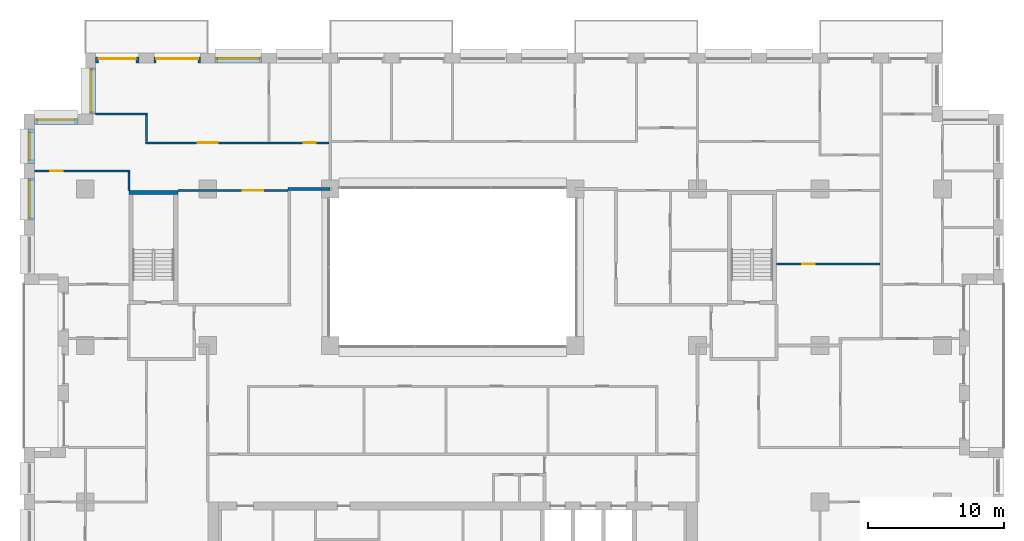
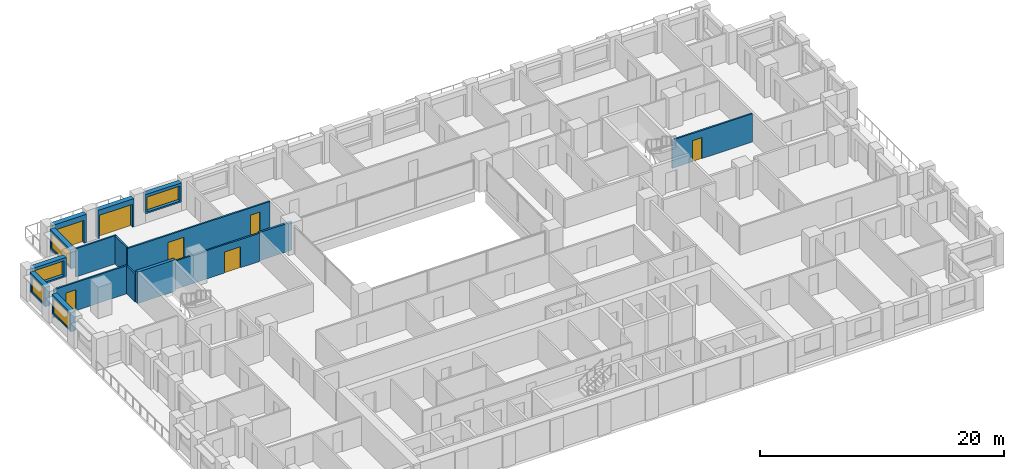
# One storey, part 12 of 17: 16 walls, 7 doors, 5 windows, 12 openings.
"""IFC4 building model written with IfcOpenShell, lengths in metres."""

import ifcopenshell
import ifcopenshell.guid

model = None  # the IFC model being written
_history = None  # IfcOwnerHistory: only IFC2X3 demands one
_inside = {}  # id of a spatial element -> (the spatial element, [elements in it])
_under = {}  # id of a project, library or spatial element -> (it, [spatial elements below it])
_declared = {}  # id of a project -> (the project, [libraries it declares])
_typed = {}  # id of a type object -> (the type object, [elements of that type])
_made_of = {}  # id of a material, layer set ... -> (it, [elements and type objects made of it])


def new_model(schema):
    """Start an empty IFC model of exactly this schema.

    Asked for "IFC4X3", IfcOpenShell would pick the latest addendum, in which some entities
    have other attributes; the version numbers below select the first issue.
    IFC2X3 requires an IfcOwnerHistory on every rooted entity: one is made here for all.
    """
    global model, _history
    if schema == "IFC4X3":
        model = ifcopenshell.file(schema_version=(4, 3, 0, 0))
    else:
        model = ifcopenshell.file(schema=schema)
    _inside.clear()
    _under.clear()
    _declared.clear()
    _typed.clear()
    _made_of.clear()
    _history = None
    if model.schema == "IFC2X3":
        org = make("IfcOrganization", Name="unknown")
        user = make(
            "IfcPersonAndOrganization",
            ThePerson=make("IfcPerson", FamilyName="unknown"),
            TheOrganization=org,
        )
        app = make(
            "IfcApplication",
            ApplicationDeveloper=org,
            Version="unknown",
            ApplicationFullName="unknown",
            ApplicationIdentifier="unknown",
        )
        _history = make(
            "IfcOwnerHistory",
            OwningUser=user,
            OwningApplication=app,
            ChangeAction="ADDED",
            CreationDate=0,
        )
    return model


def make(cls, **values):
    """One entity of the class cls with the attributes given. An attribute that is None is left unset."""
    return model.create_entity(
        cls, **{name: value for name, value in values.items() if value is not None}
    )


def rooted(cls, **values):
    """An entity with a GlobalId (a new one), such as an element, a storey or a relation."""
    return make(cls, GlobalId=ifcopenshell.guid.new(), OwnerHistory=_history, **values)


def si_unit(unit_type, name, prefix=None):
    """IfcSIUnit, for example si_unit("LENGTHUNIT", "METRE", prefix="MILLI")."""
    return make("IfcSIUnit", UnitType=unit_type, Prefix=prefix, Name=name)


def assignment(units):
    """IfcUnitAssignment: the units of a project."""
    return None if units is None else make("IfcUnitAssignment", Units=units)


def point(xyz):
    """IfcCartesianPoint."""
    return None if xyz is None else make("IfcCartesianPoint", Coordinates=xyz)


def direction(xyz):
    """IfcDirection."""
    return None if xyz is None else make("IfcDirection", DirectionRatios=xyz)


def frame(location, z_axis=None, x_axis=None):
    """IfcAxis2Placement3D, a coordinate frame: its origin and axes. An axis left out is left unset."""
    return make(
        "IfcAxis2Placement3D",
        Location=point(location),
        Axis=direction(z_axis),
        RefDirection=direction(x_axis),
    )


def frame_2d(location, x_axis=None):
    """IfcAxis2Placement2D, a coordinate frame in the plane: its origin and x axis."""
    return make(
        "IfcAxis2Placement2D", Location=point(location), RefDirection=direction(x_axis)
    )


def origin():
    """The frame at (0, 0, 0) with its axes left unset."""
    return frame((0.0, 0.0, 0.0))


def place(relative_to, where):
    """IfcLocalPlacement: puts the frame where relative to a parent placement (None: the world)."""
    return make(
        "IfcLocalPlacement", PlacementRelTo=relative_to, RelativePlacement=where
    )


def context(
    kind, dimensions, precision=None, world=None, true_north=None, identifier=None
):
    """IfcGeometricRepresentationContext, for example the 3D "Model" context."""
    return make(
        "IfcGeometricRepresentationContext",
        ContextIdentifier=identifier,
        ContextType=kind,
        CoordinateSpaceDimension=dimensions,
        Precision=precision,
        WorldCoordinateSystem=world,
        TrueNorth=true_north,
    )


def subcontext(parent, identifier, kind, view, scale=None):
    """IfcGeometricRepresentationSubContext, for example "Body" below "Model"."""
    return make(
        "IfcGeometricRepresentationSubContext",
        ContextIdentifier=identifier,
        ContextType=kind,
        ParentContext=parent,
        TargetScale=scale,
        TargetView=view,
    )


def project(units=None, contexts=None):
    """IfcProject with its units and contexts."""
    return rooted(
        "IfcProject",
        Name="project",
        RepresentationContexts=contexts,
        UnitsInContext=assignment(units),
    )


def spatial(cls, under=None, at=None, **own):
    """A site, building, storey or space (cls), placed at a placement, below another one or the project."""
    s = rooted(cls, ObjectPlacement=at, **own)
    if under is not None:
        _under.setdefault(under.id(), (under, []))[1].append(s)
    return s


def profile(cls, at=None, kind="AREA", **sizes):
    """A parametric profile (cls). Its sizes go by their IFC names, for example OverallWidth=200.0."""
    return make(cls, ProfileType=kind, Position=at, **sizes)


def rectangle(**sizes):
    """IfcRectangleProfileDef."""
    return profile("IfcRectangleProfileDef", **sizes)


def extrude(swept, where, along, depth):
    """IfcExtrudedAreaSolid: the profile swept, set in the frame where, extruded along a direction by depth."""
    return make(
        "IfcExtrudedAreaSolid",
        SweptArea=swept,
        Position=where,
        ExtrudedDirection=direction(along),
        Depth=depth,
    )


def shape(context_of_items, identifier, shape_type, items):
    """IfcShapeRepresentation: the items that make up one representation, for example the "Body"."""
    return make(
        "IfcShapeRepresentation",
        ContextOfItems=context_of_items,
        RepresentationIdentifier=identifier,
        RepresentationType=shape_type,
        Items=items,
    )


def material(Name=None, Category=None):
    """IfcMaterial."""
    return make("IfcMaterial", Name=Name, Category=Category)


def layer(
    of_material, thickness, ventilated=None, Name=None, Category=None, Priority=None
):
    """IfcMaterialLayer: one layer of a wall or slab, of a material (None: an air gap)."""
    return make(
        "IfcMaterialLayer",
        Material=of_material,
        LayerThickness=thickness,
        IsVentilated=ventilated,
        Name=Name,
        Category=Category,
        Priority=Priority,
    )


def layer_set(layers, Name=None):
    """IfcMaterialLayerSet."""
    return make("IfcMaterialLayerSet", MaterialLayers=layers, LayerSetName=Name)


def made_of(thing, what):
    """Note that an element or type object is made of a material, layer set ...; save() writes the relation."""
    if what is not None:
        _made_of.setdefault(what.id(), (what, []))[1].append(thing)
    return thing


def type_object(cls, material=None, **own):
    """A type object (cls), such as IfcWallType, which elements share."""
    return made_of(rooted(cls, **own), material)


def element(
    cls,
    number,
    at=None,
    inside=None,
    cuts=None,
    type_object=None,
    material=None,
    context=None,
    identifier="Body",
    shape_type=None,
    held_by="IfcProductDefinitionShape",
    body=None,
    shapes=None,
    **own,
):
    """One element of the class cls, such as IfcWall. Its Tag is "e" and its number.

    at: its placement. inside: the storey or other place that contains it. cuts: it is an
    opening in that element (IfcRelVoidsElement). A single representation is given by context,
    identifier, shape_type and body (its items); several are given by shapes. held_by: the class
    of the entity that holds the representations. save() writes the other relations.
    """
    e = rooted(cls, Tag="e%d" % number, ObjectPlacement=at, **own)
    if body is not None:
        shapes = [shape(context, identifier, shape_type, body)]
    if shapes is not None:
        e.Representation = make(held_by, Representations=shapes)
    if inside is not None:
        _inside.setdefault(inside.id(), (inside, []))[1].append(e)
    if cuts is not None:
        rooted(
            "IfcRelVoidsElement", RelatingBuildingElement=cuts, RelatedOpeningElement=e
        )
    if type_object is not None:
        _typed.setdefault(type_object.id(), (type_object, []))[1].append(e)
    return made_of(e, material)


def fill(opening, filler):
    """IfcRelFillsElement: the door or window that sits in an opening."""
    return rooted(
        "IfcRelFillsElement",
        RelatingOpeningElement=opening,
        RelatedBuildingElement=filler,
    )


def aggregate(whole, parts):
    """IfcRelAggregates: a whole, such as a stair, and the parts it consists of."""
    return rooted("IfcRelAggregates", RelatingObject=whole, RelatedObjects=parts)


def save(model, path):
    """Write the relations noted so far, then the file.

    IfcRelAggregates (storeys below a building ...), IfcRelContainedInSpatialStructure (elements
    in a storey), IfcRelDefinesByType, IfcRelAssociatesMaterial and IfcRelDeclares: one each for
    every whole, place, type object, material and project.
    """
    for whole, parts in _under.values():
        aggregate(whole, parts)
    for where, things in _inside.values():
        rooted(
            "IfcRelContainedInSpatialStructure",
            RelatedElements=things,
            RelatingStructure=where,
        )
    for kind, things in _typed.values():
        rooted("IfcRelDefinesByType", RelatedObjects=things, RelatingType=kind)
    for what, things in _made_of.values():
        rooted("IfcRelAssociatesMaterial", RelatedObjects=things, RelatingMaterial=what)
    for by, libraries in _declared.values():
        rooted("IfcRelDeclares", RelatingContext=by, RelatedDefinitions=libraries)
    model.write(path)


model = new_model("IFC4")

# Units and contexts
model_context = context("Model", 3, precision=1e-05, world=origin(), true_north=direction((0.0, 1.0)))
body_context = subcontext(model_context, "Body", "Model", "MODEL_VIEW")
ifc_project = project(units=[si_unit("LENGTHUNIT", "METRE"), si_unit("AREAUNIT", "SQUARE_METRE"), si_unit("VOLUMEUNIT", "CUBIC_METRE"), si_unit("PLANEANGLEUNIT", "RADIAN"), si_unit("MASSUNIT", "GRAM", prefix="KILO")], contexts=[model_context])

# Site, building, storey
site_placement = place(None, origin())
site = spatial("IfcSite", under=ifc_project, at=site_placement, CompositionType="ELEMENT")
building_placement = place(site_placement, origin())
building = spatial("IfcBuilding", under=site, at=building_placement, Name="Brigalow Station Residences", CompositionType="ELEMENT")
storey_placement = place(building_placement, frame((0.0, 0.0, 111.89990234375)))
storey = spatial("IfcBuildingStorey", under=building, at=storey_placement, Name="L32", CompositionType="ELEMENT", Elevation=111.89990234375)

# Wall, opening, window
ifc_material_1 = material(Name="Clay brick masonry", Category="masonry")
ifc_layer_1 = layer(ifc_material_1, 0.449951171875)
ifc_layer_set_1 = layer_set([ifc_layer_1], Name="BRICK INFILL WALL 450")
wall_type_1 = type_object("IfcWallType", Name="BRICK INFILL WALL 450", PredefinedType="SOLIDWALL", material=ifc_layer_set_1)
wall_1_placement = place(storey_placement, frame((21.949951171875, 44.97509765625, 0.900146484375), z_axis=(0.0, 0.0, 1.0), x_axis=(-1.0, 0.0, 0.0)))
wall_1 = element("IfcWall", 1, at=wall_1_placement, inside=storey, type_object=wall_type_1, Name="L32/ewall/W-L32-34", PredefinedType="SOLIDWALL", context=body_context, shape_type="SweptSolid", body=[
    extrude(rectangle(XDim=3.39990234375, YDim=0.449951171875, at=frame_2d((1.699951171875, 0.0))), origin(), (0.0, 0.0, 1.0), 1.929931640625),
])
opening_1_placement = place(wall_1_placement, frame((0.14990234375, 0.0, 0.14990234375)))
opening_1 = element("IfcOpeningElement", 2, at=opening_1_placement, cuts=wall_1, Name="Opening WT-8", PredefinedType="OPENING", context=body_context, shape_type="SweptSolid", body=[
    extrude(rectangle(XDim=3.10009765625, YDim=1.5, at=frame_2d((1.550048828125, 0.75))), frame((0.0, 0.23486328125, 0.0), z_axis=(0.0, -1.0, 0.0), x_axis=(1.0, 0.0, 0.0)), (0.0, 0.0, 1.0), 0.469970703125),
])
ifc_material_2 = material(Name="Anodised aluminium frame with double glazing", Category="aluminium")
window_type_1 = type_object("IfcWindowType", Name="WINDOW 3100x1500", PartitioningType="SINGLE_PANEL", PredefinedType="WINDOW", material=ifc_material_2)
window_1_placement = place(opening_1_placement, origin())
window_1 = element("IfcWindow", 3, at=window_1_placement, inside=storey, type_object=window_type_1, Name="L32/window/W-L32-34", OverallHeight=1.5, OverallWidth=3.10009765625, PartitioningType="SINGLE_PANEL", PredefinedType="WINDOW", context=body_context, shape_type="SweptSolid", body=[
    extrude(rectangle(XDim=3.10009765625, YDim=1.5, at=frame_2d((1.550048828125, 0.75))), frame((0.0, -0.06494140625, 0.0), z_axis=(0.0, -1.0, 0.0), x_axis=(1.0, 0.0, 0.0)), (0.0, 0.0, 1.0), 0.06005859375),
])
fill(opening_1, window_1)

# Wall, opening, door
wall_2_placement = place(storey_placement, frame((17.449951171875, 44.97509765625, 0.0), z_axis=(0.0, 0.0, 1.0), x_axis=(-1.0, 0.0, 0.0)))
wall_2 = element("IfcWall", 4, at=wall_2_placement, inside=storey, type_object=wall_type_1, Name="L32/ewall/W-L32-35", PredefinedType="SOLIDWALL", context=body_context, shape_type="SweptSolid", body=[
    extrude(rectangle(XDim=3.39990234375, YDim=0.449951171875, at=frame_2d((1.699951171875, 0.0))), origin(), (0.0, 0.0, 1.0), 2.830078125),
])
opening_2_placement = place(wall_2_placement, frame((0.14990234375, 0.0, 0.0)))
opening_2 = element("IfcOpeningElement", 5, at=opening_2_placement, cuts=wall_2, Name="Opening D-B3100", PredefinedType="OPENING", context=body_context, shape_type="SweptSolid", body=[
    extrude(rectangle(XDim=3.10009765625, YDim=2.300048828125, at=frame_2d((1.550048828125, 1.14990234375))), frame((0.0, 0.23486328125, 0.0), z_axis=(0.0, -1.0, 0.0), x_axis=(1.0, 0.0, 0.0)), (0.0, 0.0, 1.0), 0.469970703125),
])
ifc_material_3 = material(Name="Anodised aluminium frame with double glazing", Category="aluminium")
door_type_1 = type_object("IfcDoorType", Name="BALCONY SLIDING DOOR 3100x2300", OperationType="SLIDING_TO_LEFT", PredefinedType="DOOR", material=ifc_material_3)
door_1_placement = place(opening_2_placement, origin())
door_1 = element("IfcDoor", 6, at=door_1_placement, inside=storey, type_object=door_type_1, Name="L32/balcony-door/W-L32-35", OperationType="SLIDING_TO_LEFT", OverallHeight=2.300048828125, OverallWidth=3.10009765625, PredefinedType="DOOR", context=body_context, shape_type="SweptSolid", body=[
    extrude(rectangle(XDim=3.10009765625, YDim=2.300048828125, at=frame_2d((1.550048828125, 1.14990234375))), frame((0.0, -0.06982421875, 0.0), z_axis=(0.0, -1.0, 0.0), x_axis=(1.0, 0.0, 0.0)), (0.0, 0.0, 1.0), 0.050048828125),
])
fill(opening_2, door_1)

wall_3_placement = place(storey_placement, frame((12.949951171875, 44.97509765625, 0.0), z_axis=(0.0, 0.0, 1.0), x_axis=(-1.0, 0.0, 0.0)))
wall_3 = element("IfcWall", 7, at=wall_3_placement, inside=storey, type_object=wall_type_1, Name="L32/ewall/W-L32-36", PredefinedType="SOLIDWALL", context=body_context, shape_type="SweptSolid", body=[
    extrude(rectangle(XDim=3.199951171875, YDim=0.449951171875, at=frame_2d((1.60009765625, 0.0))), origin(), (0.0, 0.0, 1.0), 2.830078125),
])
opening_3_placement = place(wall_3_placement, frame((0.22509765625, 0.0, 0.0)))
opening_3 = element("IfcOpeningElement", 8, at=opening_3_placement, cuts=wall_3, Name="Opening D-B2750", PredefinedType="OPENING", context=body_context, shape_type="SweptSolid", body=[
    extrude(rectangle(XDim=2.75, YDim=2.300048828125, at=frame_2d((1.375, 1.14990234375))), frame((0.0, 0.23486328125, 0.0), z_axis=(0.0, -1.0, 0.0), x_axis=(1.0, 0.0, 0.0)), (0.0, 0.0, 1.0), 0.469970703125),
])
ifc_material_4 = material(Name="Anodised aluminium frame with double glazing", Category="aluminium")
door_type_2 = type_object("IfcDoorType", Name="BALCONY SLIDING DOOR 2750x2300", OperationType="SLIDING_TO_LEFT", PredefinedType="DOOR", material=ifc_material_4)
door_2_placement = place(opening_3_placement, origin())
door_2 = element("IfcDoor", 9, at=door_2_placement, inside=storey, type_object=door_type_2, Name="L32/balcony-door/W-L32-36", OperationType="SLIDING_TO_LEFT", OverallHeight=2.300048828125, OverallWidth=2.75, PredefinedType="DOOR", context=body_context, shape_type="SweptSolid", body=[
    extrude(rectangle(XDim=2.75, YDim=2.300048828125, at=frame_2d((1.375, 1.14990234375))), frame((0.0, -0.06982421875, 0.0), z_axis=(0.0, -1.0, 0.0), x_axis=(1.0, 0.0, 0.0)), (0.0, 0.0, 1.0), 0.050048828125),
])
fill(opening_3, door_2)

# Wall, opening, window
wall_4_placement = place(storey_placement, frame((9.52490234375, 44.39990234375, 0.900146484375), z_axis=(0.0, 0.0, 1.0), x_axis=(0.0, -1.0, 0.0)))
wall_4 = element("IfcWall", 10, at=wall_4_placement, inside=storey, type_object=wall_type_1, Name="L32/ewall/W-L32-37", PredefinedType="SOLIDWALL", context=body_context, shape_type="SweptSolid", body=[
    extrude(rectangle(XDim=3.39990234375, YDim=0.449951171875, at=frame_2d((1.699951171875, 0.0))), origin(), (0.0, 0.0, 1.0), 1.929931640625),
])
opening_4_placement = place(wall_4_placement, frame((0.14990234375, 0.0, 0.14990234375)))
opening_4 = element("IfcOpeningElement", 11, at=opening_4_placement, cuts=wall_4, Name="Opening WT-8", PredefinedType="OPENING", context=body_context, shape_type="SweptSolid", body=[
    extrude(rectangle(XDim=3.10009765625, YDim=1.5, at=frame_2d((1.550048828125, 0.75))), frame((0.0, 0.23486328125, 0.0), z_axis=(0.0, -1.0, 0.0), x_axis=(1.0, 0.0, 0.0)), (0.0, 0.0, 1.0), 0.469970703125),
])
window_2_placement = place(opening_4_placement, origin())
window_2 = element("IfcWindow", 12, at=window_2_placement, inside=storey, type_object=window_type_1, Name="L32/window/W-L32-37", OverallHeight=1.5, OverallWidth=3.10009765625, PartitioningType="SINGLE_PANEL", PredefinedType="WINDOW", context=body_context, shape_type="SweptSolid", body=[
    extrude(rectangle(XDim=3.10009765625, YDim=1.5, at=frame_2d((1.550048828125, 0.75))), frame((0.0, -0.06494140625, 0.0), z_axis=(0.0, -1.0, 0.0), x_axis=(1.0, 0.0, 0.0)), (0.0, 0.0, 1.0), 0.06005859375),
])
fill(opening_4, window_2)

wall_5_placement = place(storey_placement, frame((8.449951171875, 40.47509765625, 0.900146484375), z_axis=(0.0, 0.0, 1.0), x_axis=(-1.0, 0.0, 0.0)))
wall_5 = element("IfcWall", 13, at=wall_5_placement, inside=storey, type_object=wall_type_1, Name="L32/ewall/W-L32-38", PredefinedType="SOLIDWALL", context=body_context, shape_type="SweptSolid", body=[
    extrude(rectangle(XDim=3.199951171875, YDim=0.449951171875, at=frame_2d((1.60009765625, 0.0))), origin(), (0.0, 0.0, 1.0), 1.929931640625),
])
opening_5_placement = place(wall_5_placement, frame((0.22509765625, 0.0, 0.14990234375)))
opening_5 = element("IfcOpeningElement", 14, at=opening_5_placement, cuts=wall_5, Name="Opening WT-3", PredefinedType="OPENING", context=body_context, shape_type="SweptSolid", body=[
    extrude(rectangle(XDim=2.75, YDim=1.5, at=frame_2d((1.375, 0.75))), frame((0.0, 0.23486328125, 0.0), z_axis=(0.0, -1.0, 0.0), x_axis=(1.0, 0.0, 0.0)), (0.0, 0.0, 1.0), 0.469970703125),
])
ifc_material_5 = material(Name="Anodised aluminium frame with double glazing", Category="aluminium")
window_type_2 = type_object("IfcWindowType", Name="WINDOW 2750x1500", PartitioningType="SINGLE_PANEL", PredefinedType="WINDOW", material=ifc_material_5)
window_3_placement = place(opening_5_placement, origin())
window_3 = element("IfcWindow", 15, at=window_3_placement, inside=storey, type_object=window_type_2, Name="L32/window/W-L32-38", OverallHeight=1.5, OverallWidth=2.75, PartitioningType="SINGLE_PANEL", PredefinedType="WINDOW", context=body_context, shape_type="SweptSolid", body=[
    extrude(rectangle(XDim=2.75, YDim=1.5, at=frame_2d((1.375, 0.75))), frame((0.0, -0.06494140625, 0.0), z_axis=(0.0, -1.0, 0.0), x_axis=(1.0, 0.0, 0.0)), (0.0, 0.0, 1.0), 0.06005859375),
])
fill(opening_5, window_3)

wall_6_placement = place(storey_placement, frame((5.02490234375, 39.89990234375, 0.900146484375), z_axis=(0.0, 0.0, 1.0), x_axis=(0.0, -1.0, 0.0)))
wall_6 = element("IfcWall", 16, at=wall_6_placement, inside=storey, type_object=wall_type_1, Name="L32/ewall/W-L32-39", PredefinedType="SOLIDWALL", context=body_context, shape_type="SweptSolid", body=[
    extrude(rectangle(XDim=2.516845703125, YDim=0.449951171875, at=frame_2d((1.25830078125, 0.0))), origin(), (0.0, 0.0, 1.0), 1.929931640625),
])
opening_6_placement = place(wall_6_placement, frame((0.258544921875, 0.0, 0.14990234375)))
opening_6 = element("IfcOpeningElement", 17, at=opening_6_placement, cuts=wall_6, Name="Opening WT-7", PredefinedType="OPENING", context=body_context, shape_type="SweptSolid", body=[
    extrude(rectangle(XDim=2.0, YDim=1.5, at=frame_2d((1.0, 0.75))), frame((0.0, 0.23486328125, 0.0), z_axis=(0.0, -1.0, 0.0), x_axis=(1.0, 0.0, 0.0)), (0.0, 0.0, 1.0), 0.469970703125),
])
ifc_material_6 = material(Name="Anodised aluminium frame with double glazing", Category="aluminium")
window_type_3 = type_object("IfcWindowType", Name="WINDOW 2000x1500", PartitioningType="SINGLE_PANEL", PredefinedType="WINDOW", material=ifc_material_6)
window_4_placement = place(opening_6_placement, origin())
window_4 = element("IfcWindow", 18, at=window_4_placement, inside=storey, type_object=window_type_3, Name="L32/window/W-L32-39", OverallHeight=1.5, OverallWidth=2.0, PartitioningType="SINGLE_PANEL", PredefinedType="WINDOW", context=body_context, shape_type="SweptSolid", body=[
    extrude(rectangle(XDim=2.0, YDim=1.5, at=frame_2d((1.0, 0.75))), frame((0.0, -0.06494140625, 0.0), z_axis=(0.0, -1.0, 0.0), x_axis=(1.0, 0.0, 0.0)), (0.0, 0.0, 1.0), 0.06005859375),
])
fill(opening_6, window_4)

wall_7_placement = place(storey_placement, frame((5.02490234375, 36.282958984375, 0.900146484375), z_axis=(0.0, 0.0, 1.0), x_axis=(0.0, -1.0, 0.0)))
wall_7 = element("IfcWall", 19, at=wall_7_placement, inside=storey, type_object=wall_type_1, Name="L32/ewall/W-L32-40", PredefinedType="SOLIDWALL", context=body_context, shape_type="SweptSolid", body=[
    extrude(rectangle(XDim=3.06591796875, YDim=0.449951171875, at=frame_2d((1.532958984375, 0.0))), origin(), (0.0, 0.0, 1.0), 1.929931640625),
])
opening_7_placement = place(wall_7_placement, frame((0.157958984375, 0.0, 0.14990234375)))
opening_7 = element("IfcOpeningElement", 20, at=opening_7_placement, cuts=wall_7, Name="Opening WT-3", PredefinedType="OPENING", context=body_context, shape_type="SweptSolid", body=[
    extrude(rectangle(XDim=2.75, YDim=1.5, at=frame_2d((1.375, 0.75))), frame((0.0, 0.23486328125, 0.0), z_axis=(0.0, -1.0, 0.0), x_axis=(1.0, 0.0, 0.0)), (0.0, 0.0, 1.0), 0.469970703125),
])
window_5_placement = place(opening_7_placement, origin())
window_5 = element("IfcWindow", 21, at=window_5_placement, inside=storey, type_object=window_type_2, Name="L32/window/W-L32-40", OverallHeight=1.5, OverallWidth=2.75, PartitioningType="SINGLE_PANEL", PredefinedType="WINDOW", context=body_context, shape_type="SweptSolid", body=[
    extrude(rectangle(XDim=2.75, YDim=1.5, at=frame_2d((1.375, 0.75))), frame((0.0, -0.06494140625, 0.0), z_axis=(0.0, -1.0, 0.0), x_axis=(1.0, 0.0, 0.0)), (0.0, 0.0, 1.0), 0.06005859375),
])
fill(opening_7, window_5)

# Wall
ifc_material_7 = material(Name="Concrete C65", Category="concrete")
ifc_layer_2 = layer(ifc_material_7, 0.300048828125)
ifc_layer_set_2 = layer_set([ifc_layer_2], Name="CORE SHEAR WALL 300 C65")
wall_type_2 = type_object("IfcWallType", Name="CORE SHEAR WALL 300 C65", PredefinedType="SHEAR", material=ifc_layer_set_2)
wall_8_placement = place(storey_placement, frame((12.199951171875, 35.25, 0.0), z_axis=(0.0, 0.0, 1.0), x_axis=(1.0, 0.0, 0.0)))
element("IfcWall", 22, at=wall_8_placement, inside=storey, type_object=wall_type_2, Name="CORE WALL ST-S1-N L32", PredefinedType="SHEAR", context=body_context, shape_type="SweptSolid", body=[
    extrude(rectangle(XDim=3.60009765625, YDim=0.300048828125, at=frame_2d((1.800048828125, 0.0))), origin(), (0.0, 0.0, 1.0), 3.150146484375),
])

# Wall, opening, door
ifc_material_8 = material(Name="Plasterboard on steel stud partition", Category="steel")
ifc_layer_3 = layer(ifc_material_8, 0.14990234375)
ifc_layer_set_3 = layer_set([ifc_layer_3], Name="FLAT PARTITION 150")
wall_type_3 = type_object("IfcWallType", Name="FLAT PARTITION 150", PredefinedType="PARTITIONING", material=ifc_layer_set_3)
wall_9_placement = place(storey_placement, frame((5.25, 36.8330078125, 0.0), z_axis=(0.0, 0.0, 1.0), x_axis=(1.0, 0.0, 0.0)))
wall_9 = element("IfcWall", 23, at=wall_9_placement, inside=storey, type_object=wall_type_3, Name="PW-2D21", PredefinedType="PARTITIONING", context=body_context, shape_type="SweptSolid", body=[
    extrude(rectangle(XDim=7.02490234375, YDim=0.14990234375, at=frame_2d((3.512451171875, 0.0))), origin(), (0.0, 0.0, 1.0), 2.830078125),
])
opening_8_placement = place(wall_9_placement, frame((1.175048828125, 0.0, 0.0)))
opening_8 = element("IfcOpeningElement", 24, at=opening_8_placement, cuts=wall_9, Name="Opening D-2D12", PredefinedType="OPENING", context=body_context, shape_type="SweptSolid", body=[
    extrude(rectangle(XDim=0.89990234375, YDim=2.10009765625, at=frame_2d((0.449951171875, 1.050048828125))), frame((0.0, 0.0849609375, 0.0), z_axis=(0.0, -1.0, 0.0), x_axis=(1.0, 0.0, 0.0)), (0.0, 0.0, 1.0), 0.169921875),
])
ifc_material_9 = material(Name="Solid-core timber door leaf", Category="wood")
door_type_3 = type_object("IfcDoorType", Name="INTERNAL DOOR 900 x 2100", OperationType="SINGLE_SWING_LEFT", PredefinedType="DOOR", material=ifc_material_9)
door_3_placement = place(opening_8_placement, frame((0.89990234375, 0.0, 0.0), z_axis=(0.0, 0.0, 1.0), x_axis=(-1.0, 0.0, 0.0)))
door_3 = element("IfcDoor", 25, at=door_3_placement, inside=storey, type_object=door_type_3, Name="D-2D12", OperationType="SINGLE_SWING_RIGHT", OverallHeight=2.10009765625, OverallWidth=0.89990234375, PredefinedType="DOOR", context=body_context, shape_type="SweptSolid", body=[
    extrude(rectangle(XDim=0.89990234375, YDim=2.10009765625, at=frame_2d((0.449951171875, 1.050048828125))), frame((0.0, 0.02490234375, 0.0), z_axis=(0.0, -1.0, 0.0), x_axis=(1.0, 0.0, 0.0)), (0.0, 0.0, 1.0), 0.050048828125),
])
fill(opening_8, door_3)

# Wall, openings, doors
wall_10_placement = place(storey_placement, frame((13.425048828125, 38.89990234375, 0.0), z_axis=(0.0, 0.0, 1.0), x_axis=(1.0, 0.0, 0.0)))
wall_10 = element("IfcWall", 26, at=wall_10_placement, inside=storey, type_object=wall_type_3, Name="PW-2D23", PredefinedType="PARTITIONING", context=body_context, shape_type="SweptSolid", body=[
    extrude(rectangle(XDim=13.474853515625, YDim=0.14990234375, at=frame_2d((6.7373046875, 0.0))), origin(), (0.0, 0.0, 1.0), 2.830078125),
])
opening_9_placement = place(wall_10_placement, frame((3.824951171875, 0.0, 0.0)))
opening_9 = element("IfcOpeningElement", 27, at=opening_9_placement, cuts=wall_10, Name="Opening D-2D13", PredefinedType="OPENING", context=body_context, shape_type="SweptSolid", body=[
    extrude(rectangle(XDim=1.5, YDim=2.10009765625, at=frame_2d((0.75, 1.050048828125))), frame((0.0, 0.0849609375, 0.0), z_axis=(0.0, -1.0, 0.0), x_axis=(1.0, 0.0, 0.0)), (0.0, 0.0, 1.0), 0.169921875),
])
opening_10_placement = place(wall_10_placement, frame((11.625, 0.0, 0.0)))
opening_10 = element("IfcOpeningElement", 28, at=opening_10_placement, cuts=wall_10, Name="Opening D-2D15", PredefinedType="OPENING", context=body_context, shape_type="SweptSolid", body=[
    extrude(rectangle(XDim=0.89990234375, YDim=2.10009765625, at=frame_2d((0.449951171875, 1.050048828125))), frame((0.0, 0.0849609375, 0.0), z_axis=(0.0, -1.0, 0.0), x_axis=(1.0, 0.0, 0.0)), (0.0, 0.0, 1.0), 0.169921875),
])
door_4_placement = place(opening_10_placement, origin())
door_4 = element("IfcDoor", 29, at=door_4_placement, inside=storey, type_object=door_type_3, Name="D-2D15", OperationType="SINGLE_SWING_RIGHT", OverallHeight=2.10009765625, OverallWidth=0.89990234375, PredefinedType="DOOR", context=body_context, shape_type="SweptSolid", body=[
    extrude(rectangle(XDim=0.89990234375, YDim=2.10009765625, at=frame_2d((0.449951171875, 1.050048828125))), frame((0.0, 0.02490234375, 0.0), z_axis=(0.0, -1.0, 0.0), x_axis=(1.0, 0.0, 0.0)), (0.0, 0.0, 1.0), 0.050048828125),
])
fill(opening_10, door_4)
ifc_material_10 = material(Name="Solid-core timber door leaf", Category="wood")
door_type_4 = type_object("IfcDoorType", Name="INTERNAL DOUBLE DOOR 1500 x 2100", OperationType="DOUBLE_DOOR_SINGLE_SWING", PredefinedType="DOOR", material=ifc_material_10)
door_5_placement = place(opening_9_placement, origin())
door_5 = element("IfcDoor", 30, at=door_5_placement, inside=storey, type_object=door_type_4, Name="D-2D13", OperationType="DOUBLE_DOOR_SINGLE_SWING", OverallHeight=2.10009765625, OverallWidth=1.5, PredefinedType="DOOR", context=body_context, shape_type="SweptSolid", body=[
    extrude(rectangle(XDim=1.5, YDim=2.10009765625, at=frame_2d((0.75, 1.050048828125))), frame((0.0, 0.02490234375, 0.0), z_axis=(0.0, -1.0, 0.0), x_axis=(1.0, 0.0, 0.0)), (0.0, 0.0, 1.0), 0.050048828125),
])
fill(opening_9, door_5)

# Wall, opening, door
wall_11_placement = place(storey_placement, frame((15.800048828125, 35.39990234375, 0.0), z_axis=(0.0, 0.0, 1.0), x_axis=(1.0, 0.0, 0.0)))
wall_11 = element("IfcWall", 31, at=wall_11_placement, inside=storey, type_object=wall_type_3, Name="PW-2D24", PredefinedType="PARTITIONING", context=body_context, shape_type="SweptSolid", body=[
    extrude(rectangle(XDim=8.099853515625, YDim=0.14990234375, at=frame_2d((4.0498046875, 0.0))), origin(), (0.0, 0.0, 1.0), 2.830078125),
])
opening_11_placement = place(wall_11_placement, frame((4.77490234375, 0.0, 0.0)))
opening_11 = element("IfcOpeningElement", 32, at=opening_11_placement, cuts=wall_11, Name="Opening D-2D16", PredefinedType="OPENING", context=body_context, shape_type="SweptSolid", body=[
    extrude(rectangle(XDim=1.5, YDim=2.10009765625, at=frame_2d((0.75, 1.050048828125))), frame((0.0, 0.0849609375, 0.0), z_axis=(0.0, -1.0, 0.0), x_axis=(1.0, 0.0, 0.0)), (0.0, 0.0, 1.0), 0.169921875),
])
door_6_placement = place(opening_11_placement, frame((1.5, 0.0, 0.0), z_axis=(0.0, 0.0, 1.0), x_axis=(-1.0, 0.0, 0.0)))
door_6 = element("IfcDoor", 33, at=door_6_placement, inside=storey, type_object=door_type_4, Name="D-2D16", OperationType="DOUBLE_DOOR_SINGLE_SWING", OverallHeight=2.10009765625, OverallWidth=1.5, PredefinedType="DOOR", context=body_context, shape_type="SweptSolid", body=[
    extrude(rectangle(XDim=1.5, YDim=2.10009765625, at=frame_2d((0.75, 1.050048828125))), frame((0.0, 0.02490234375, 0.0), z_axis=(0.0, -1.0, 0.0), x_axis=(1.0, 0.0, 0.0)), (0.0, 0.0, 1.0), 0.050048828125),
])
fill(opening_11, door_6)

# Wall
wall_12_placement = place(storey_placement, frame((9.75, 41.0, 0.0), z_axis=(0.0, 0.0, 1.0), x_axis=(1.0, 0.0, 0.0)))
element("IfcWall", 34, at=wall_12_placement, inside=storey, type_object=wall_type_3, Name="PW-2D27", PredefinedType="PARTITIONING", context=body_context, shape_type="SweptSolid", body=[
    extrude(rectangle(XDim=3.824951171875, YDim=0.14990234375, at=frame_2d((1.91259765625, 0.0))), origin(), (0.0, 0.0, 1.0), 2.830078125),
])

# Wall, opening, door
wall_13_placement = place(storey_placement, frame((59.800048828125, 30.0, 0.0), z_axis=(0.0, 0.0, 1.0), x_axis=(1.0, 0.0, 0.0)))
wall_13 = element("IfcWall", 35, at=wall_13_placement, inside=storey, type_object=wall_type_3, Name="PW-2D34", PredefinedType="PARTITIONING", context=body_context, shape_type="SweptSolid", body=[
    extrude(rectangle(XDim=7.599853515625, YDim=0.14990234375, at=frame_2d((3.7998046875, 0.0))), origin(), (0.0, 0.0, 1.0), 2.830078125),
])
opening_12_placement = place(wall_13_placement, frame((1.89990234375, 0.0, 0.0)))
opening_12 = element("IfcOpeningElement", 36, at=opening_12_placement, cuts=wall_13, Name="Opening D-2D31", PredefinedType="OPENING", context=body_context, shape_type="SweptSolid", body=[
    extrude(rectangle(XDim=0.89990234375, YDim=2.10009765625, at=frame_2d((0.449951171875, 1.050048828125))), frame((0.0, 0.0849609375, 0.0), z_axis=(0.0, -1.0, 0.0), x_axis=(1.0, 0.0, 0.0)), (0.0, 0.0, 1.0), 0.169921875),
])
door_7_placement = place(opening_12_placement, frame((0.89990234375, 0.0, 0.0), z_axis=(0.0, 0.0, 1.0), x_axis=(-1.0, 0.0, 0.0)))
door_7 = element("IfcDoor", 37, at=door_7_placement, inside=storey, type_object=door_type_3, Name="D-2D31", OperationType="SINGLE_SWING_RIGHT", OverallHeight=2.10009765625, OverallWidth=0.89990234375, PredefinedType="DOOR", context=body_context, shape_type="SweptSolid", body=[
    extrude(rectangle(XDim=0.89990234375, YDim=2.10009765625, at=frame_2d((0.449951171875, 1.050048828125))), frame((0.0, 0.02490234375, 0.0), z_axis=(0.0, -1.0, 0.0), x_axis=(1.0, 0.0, 0.0)), (0.0, 0.0, 1.0), 0.050048828125),
])
fill(opening_12, door_7)

# Walls
wall_14_placement = place(storey_placement, frame((13.5, 38.97509765625, 0.0), z_axis=(0.0, 0.0, 1.0), x_axis=(0.0, 1.0, 0.0)))
element("IfcWall", 38, at=wall_14_placement, inside=storey, type_object=wall_type_3, Name="PW-2D49", PredefinedType="PARTITIONING", context=body_context, shape_type="SweptSolid", body=[
    extrude(rectangle(XDim=1.949951171875, YDim=0.14990234375, at=frame_2d((0.97509765625, 0.0))), origin(), (0.0, 0.0, 1.0), 2.830078125),
])
wall_15_placement = place(storey_placement, frame((12.199951171875, 35.39990234375, 0.0), z_axis=(0.0, 0.0, 1.0), x_axis=(0.0, 1.0, 0.0)))
element("IfcWall", 39, at=wall_15_placement, inside=storey, type_object=wall_type_3, Name="PW-2D50", PredefinedType="PARTITIONING", context=body_context, shape_type="SweptSolid", body=[
    extrude(rectangle(XDim=1.358154296875, YDim=0.14990234375, at=frame_2d((0.67919921875, 0.0))), origin(), (0.0, 0.0, 1.0), 2.830078125),
])
ifc_material_11 = material(Name="Plasterboard on steel stud partition", Category="steel")
ifc_layer_4 = layer(ifc_material_11, 0.199951171875)
ifc_layer_set_4 = layer_set([ifc_layer_4], Name="PARTY AND CORRIDOR WALL 200")
wall_type_4 = type_object("IfcWallType", Name="PARTY AND CORRIDOR WALL 200", PredefinedType="PARTITIONING", material=ifc_layer_set_4)
wall_16_placement = place(storey_placement, frame((23.89990234375, 35.5, 0.0), z_axis=(0.0, 0.0, 1.0), x_axis=(1.0, 0.0, 0.0)))
element("IfcWall", 40, at=wall_16_placement, inside=storey, type_object=wall_type_4, Name="PW-2D07", PredefinedType="PARTITIONING", context=body_context, shape_type="SweptSolid", body=[
    extrude(rectangle(XDim=3.10009765625, YDim=0.199951171875, at=frame_2d((1.550048828125, 0.0))), origin(), (0.0, 0.0, 1.0), 2.830078125),
])

save(model, "model.ifc")
